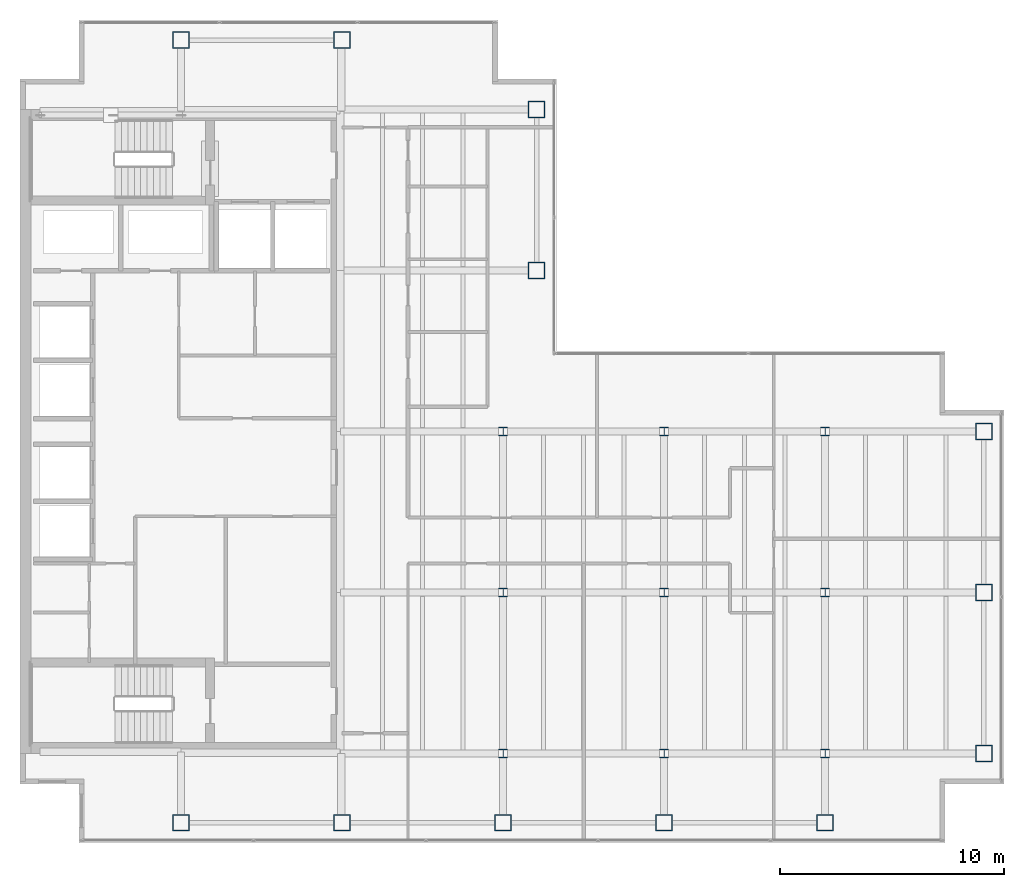
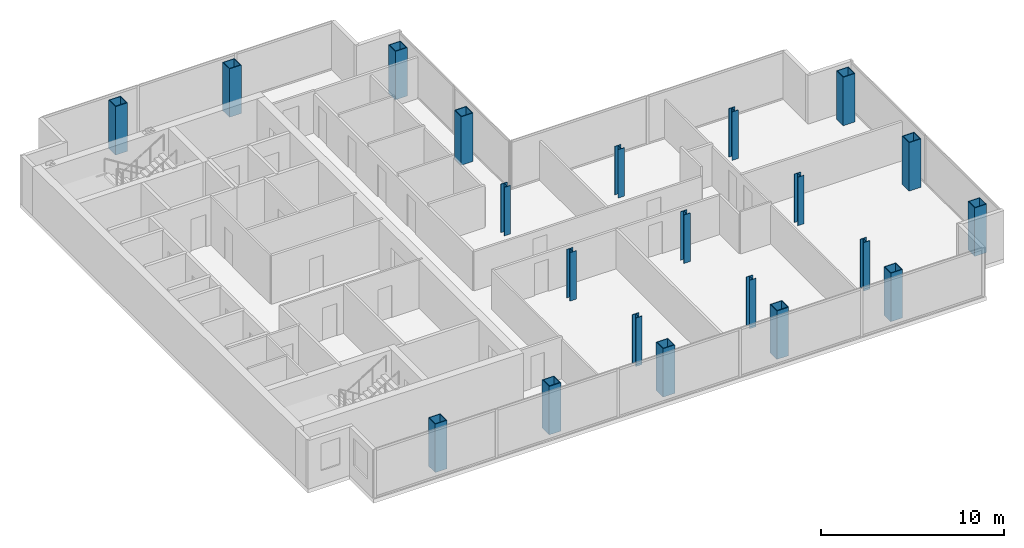
# One storey, part 1 of 23: 21 columns.
"""IFC4 building model written with IfcOpenShell, lengths in metres."""

from ifc_helpers import new_model, si_unit, direction, frame, origin, origin_2d, place, context, subcontext, project, spatial, hollow_rectangle, i_section, extrude, material, material_profile, profile_set, type_object, element, save


model = new_model("IFC4")

# Units and contexts
model_context = context("Model", 3, precision=1e-05, world=origin(), true_north=direction((0.0, 1.0)))
body_context = subcontext(model_context, "Body", "Model", "MODEL_VIEW")
ifc_project = project(units=[si_unit("LENGTHUNIT", "METRE"), si_unit("AREAUNIT", "SQUARE_METRE"), si_unit("VOLUMEUNIT", "CUBIC_METRE"), si_unit("PLANEANGLEUNIT", "RADIAN"), si_unit("MASSUNIT", "GRAM", prefix="KILO")], contexts=[model_context])

# Site, building, storey
site_placement = place(None, origin())
site = spatial("IfcSite", under=ifc_project, at=site_placement, CompositionType="ELEMENT")
building_placement = place(site_placement, origin())
building = spatial("IfcBuilding", under=site, at=building_placement, Name="Cobrela Telecom Tower", CompositionType="ELEMENT")
storey_placement = place(building_placement, frame((0.0, 0.0, 211.75)))
storey = spatial("IfcBuildingStorey", under=building, at=storey_placement, Name="L54", CompositionType="ELEMENT", Elevation=211.75)

# Columns
ifc_material_1 = material(Name="Steel ASTM A992 Grade 50", Category="steel")
ifc_material_profile_1 = material_profile(ifc_material_1, i_section(OverallWidth=0.39892578125, OverallDepth=0.39404296875, WebThickness=0.022705078125, FlangeThickness=0.03662109375, FilletRadius=0.01806640625, at=origin_2d()), Name="W14X193")
ifc_profile_set_1 = profile_set([ifc_material_profile_1], Name="Steel ASTM A992 Grade 50")
column_type_1 = type_object("IfcColumnType", Name="COL-INT-06", PredefinedType="COLUMN", material=ifc_profile_set_1)
for number, where, z_axis, x_axis, name in (
    (1, (21.60009765625, 7.199951171875, 0.0), (0.0, 0.0, 1.0), (1.0, 0.0, 0.0), "L54 Interior Column 06"),
    (2, (21.60009765625, 14.39990234375, 0.0), (0.0, 0.0, 1.0), (1.0, 0.0, 0.0), "L54 Interior Column 07"),
    (3, (21.60009765625, 21.60009765625, 0.0), (0.0, 0.0, 1.0), (1.0, 0.0, 0.0), "L54 Interior Column 08"),
    (4, (28.800048828125, 7.199951171875, 0.0), (0.0, 0.0, 1.0), (1.0, 0.0, 0.0), "L54 Interior Column 12"),
    (5, (28.800048828125, 14.39990234375, 0.0), (0.0, 0.0, 1.0), (1.0, 0.0, 0.0), "L54 Interior Column 13"),
    (6, (28.800048828125, 21.60009765625, 0.0), (0.0, 0.0, 1.0), (1.0, 0.0, 0.0), "L54 Interior Column 14"),
    (7, (36.0, 7.199951171875, 0.0), (0.0, 0.0, 1.0), (1.0, 0.0, 0.0), "L54 Interior Column 16"),
    (8, (36.0, 14.39990234375, 0.0), (0.0, 0.0, 1.0), (1.0, 0.0, 0.0), "L54 Interior Column 17"),
    (9, (36.0, 21.60009765625, 0.0), (0.0, 0.0, 1.0), (1.0, 0.0, 0.0), "L54 Interior Column 18"),
):
    element("IfcColumn", number, at=place(storey_placement, frame(where, z_axis=z_axis, x_axis=x_axis)), inside=storey, type_object=column_type_1, Name=name, PredefinedType="COLUMN", context=body_context, shape_type="SweptSolid", body=[
        extrude(i_section(OverallWidth=0.39892578125, OverallDepth=0.39404296875, WebThickness=0.022705078125, FlangeThickness=0.03662109375, FilletRadius=0.01806640625, at=origin_2d()), origin(), (0.0, 0.0, 1.0), 3.239990234375),
    ])
ifc_material_2 = material(Name="Steel ASTM A572 Grade 50", Category="steel")
ifc_material_profile_2 = material_profile(ifc_material_2, hollow_rectangle(XDim=0.75, YDim=0.75, WallThickness=0.044921875, at=origin_2d()), Name="BOX 750x750x45")
ifc_profile_set_2 = profile_set([ifc_material_profile_2], Name="Steel ASTM A572 Grade 50")
column_type_2 = type_object("IfcColumnType", Name="COL-MEGA-08", PredefinedType="COLUMN", material=ifc_profile_set_2)
for number, where, z_axis, x_axis, name in (
    (10, (7.199951171875, 4.10009765625, 0.0), (0.0, 0.0, 1.0), (1.0, 0.0, 0.0), "L54 Perimeter Mega-Column 01"),
    (11, (7.199951171875, 39.10009765625, 0.0), (0.0, 0.0, 1.0), (1.0, 0.0, 0.0), "L54 Perimeter Mega-Column 02"),
    (12, (14.39990234375, 4.10009765625, 0.0), (0.0, 0.0, 1.0), (1.0, 0.0, 0.0), "L54 Perimeter Mega-Column 03"),
    (13, (14.39990234375, 39.10009765625, 0.0), (0.0, 0.0, 1.0), (1.0, 0.0, 0.0), "L54 Perimeter Mega-Column 04"),
    (14, (21.60009765625, 4.10009765625, 0.0), (0.0, 0.0, 1.0), (1.0, 0.0, 0.0), "L54 Perimeter Mega-Column 05"),
    (15, (23.10009765625, 28.800048828125, 0.0), (0.0, 0.0, 1.0), (1.0, 0.0, 0.0), "L54 Perimeter Mega-Column 09"),
    (16, (23.10009765625, 36.0, 0.0), (0.0, 0.0, 1.0), (1.0, 0.0, 0.0), "L54 Perimeter Mega-Column 10"),
    (17, (28.800048828125, 4.10009765625, 0.0), (0.0, 0.0, 1.0), (1.0, 0.0, 0.0), "L54 Perimeter Mega-Column 11"),
    (18, (36.0, 4.10009765625, 0.0), (0.0, 0.0, 1.0), (1.0, 0.0, 0.0), "L54 Perimeter Mega-Column 15"),
    (19, (43.10009765625, 7.199951171875, 0.0), (0.0, 0.0, 1.0), (1.0, 0.0, 0.0), "L54 Perimeter Mega-Column 19"),
    (20, (43.10009765625, 14.39990234375, 0.0), (0.0, 0.0, 1.0), (1.0, 0.0, 0.0), "L54 Perimeter Mega-Column 20"),
    (21, (43.10009765625, 21.60009765625, 0.0), (0.0, 0.0, 1.0), (1.0, 0.0, 0.0), "L54 Perimeter Mega-Column 21"),
):
    element("IfcColumn", number, at=place(storey_placement, frame(where, z_axis=z_axis, x_axis=x_axis)), inside=storey, type_object=column_type_2, Name=name, PredefinedType="COLUMN", context=body_context, shape_type="SweptSolid", body=[
        extrude(hollow_rectangle(XDim=0.75, YDim=0.75, WallThickness=0.044921875, at=origin_2d()), origin(), (0.0, 0.0, 1.0), 3.239990234375),
    ])

save(model, "model.ifc")
